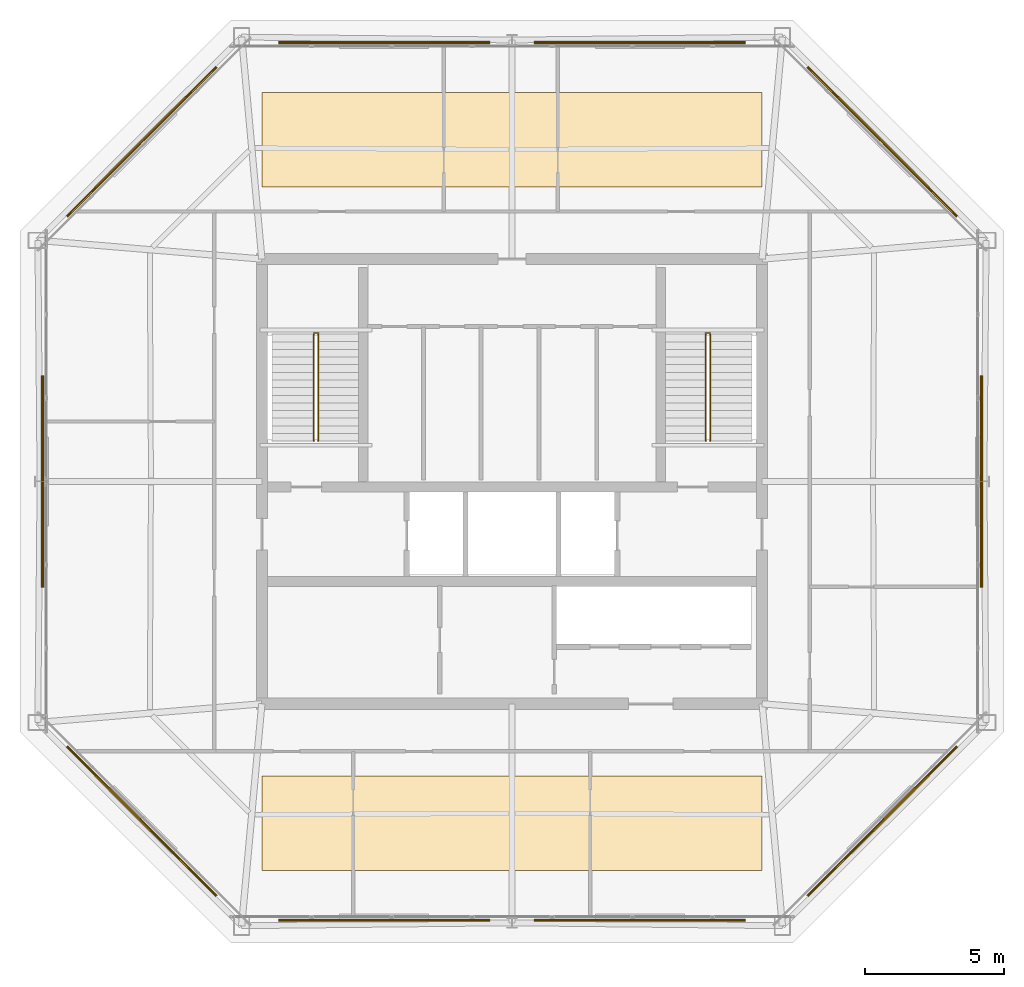
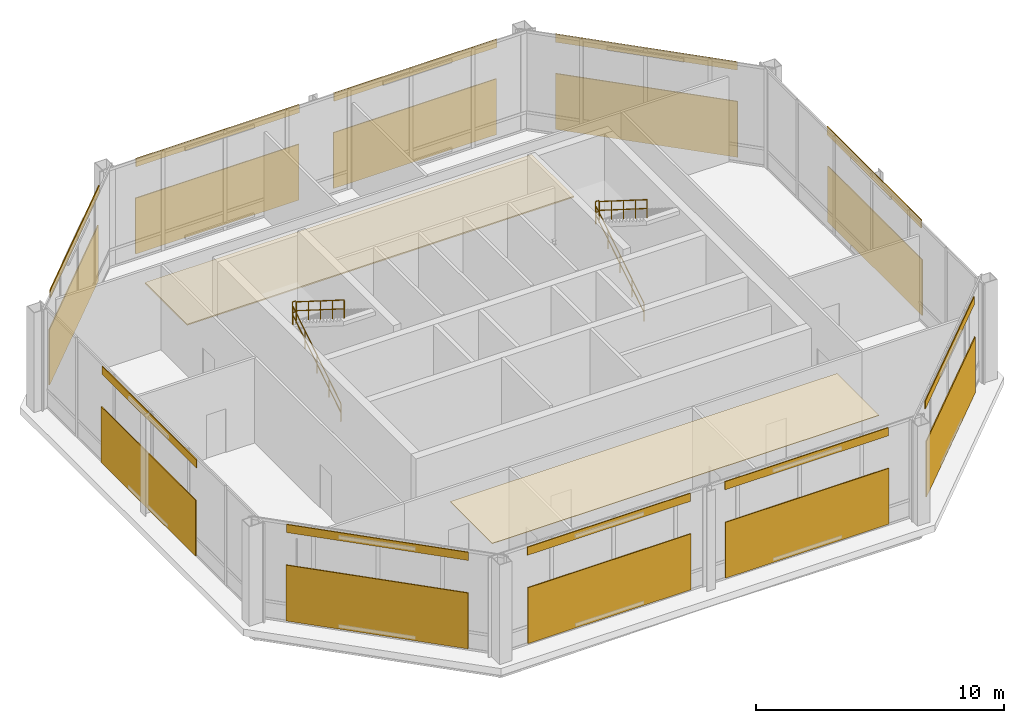
# One storey, part 21 of 21: 12 coverings, 10 shading devices, 6 railings.
"""IFC4 building model written with IfcOpenShell, lengths in metres."""

from ifc_helpers import new_model, si_unit, direction, frame, origin, origin_2d, place, context, subcontext, project, spatial, polyline, rectangle, circle, outline, extrude, material, layer, layer_set, type_object, element, save


model = new_model("IFC4")

# Units and contexts
model_context = context("Model", 3, precision=1e-05, world=origin(), true_north=direction((0.0, 1.0)))
body_context = subcontext(model_context, "Body", "Model", "MODEL_VIEW")
ifc_project = project(units=[si_unit("LENGTHUNIT", "METRE"), si_unit("AREAUNIT", "SQUARE_METRE"), si_unit("VOLUMEUNIT", "CUBIC_METRE"), si_unit("PLANEANGLEUNIT", "RADIAN"), si_unit("MASSUNIT", "GRAM", prefix="KILO")], contexts=[model_context])

# Site, building, storey
site_placement = place(None, origin())
site = spatial("IfcSite", under=ifc_project, at=site_placement, CompositionType="ELEMENT")
building_placement = place(site_placement, origin())
building = spatial("IfcBuilding", under=site, at=building_placement, Name="Caelvoria Tower", CompositionType="ELEMENT")
storey_placement = place(building_placement, frame((0.0, 0.0, 279.0)))
storey = spatial("IfcBuildingStorey", under=building, at=storey_placement, Name="L74", CompositionType="ELEMENT", Elevation=279.0)

# Coverings
ifc_material_1 = material(Name="Acoustic Mineral Fibre Tile", Category="gypsum")
ifc_layer_1 = layer(ifc_material_1, 0.02490234375, Name="Acoustic Mineral Fibre Tile")
ifc_layer_set_1 = layer_set([ifc_layer_1], Name="Mineral-Fibre Acoustic Suspended Ceiling 25 - Acoustic Mineral Fibre Tile")
covering_type_1 = type_object("IfcCoveringType", Name="Mineral-Fibre Acoustic Suspended Ceiling 25", PredefinedType="CEILING", material=ifc_layer_set_1)
covering_1_placement = place(storey_placement, frame((0.0, 0.0, 4.175048828125)))
element("IfcCovering", 1, at=covering_1_placement, inside=storey, type_object=covering_type_1, Name="Suspended Acoustic Ceiling L74", PredefinedType="CEILING", context=body_context, shape_type="SweptSolid", body=[
    extrude(outline(polyline([(37.0, 18.0), (55.0, 18.0), (55.0, 21.39990234375), (37.0, 21.39990234375), (37.0, 18.0)])), origin(), (0.0, 0.0, 1.0), 0.02490234375),
])
ifc_material_2 = material(Name="Perforated Architectural Bronze Cladding Screen", Category="bronze")
ifc_layer_2 = layer(ifc_material_2, 0.0400390625, Name="Perforated Architectural Bronze Cladding Screen")
ifc_layer_set_2 = layer_set([ifc_layer_2], Name="Perforated Bronze Louvre Cladding Band 40 - Perforated Architectural Bronze Cladding Screen")
covering_type_2 = type_object("IfcCoveringType", Name="Perforated Bronze Louvre Cladding Band 40", PredefinedType="CLADDING", material=ifc_layer_set_2)
for number, where, z_axis, x_axis, name in (
    (2, (41.39990234375, 16.238037109375, 4.47998046875), (0.0, 0.0, 1.0), (1.0, 0.0, 0.0), "Perforated Bronze Screen Band L74-E0-00"),
    (3, (50.60009765625, 16.238037109375, 4.47998046875), (0.0, 0.0, 1.0), (1.0, 0.0, 0.0), "Perforated Bronze Screen Band L74-E0-01"),
    (4, (59.307373046875, 19.79248046875, 4.47998046875), (0.0, 0.0, 1.0), (0.707106781187, 0.707106781187, 0.0), "Perforated Bronze Screen Band L74-E1-00"),
    (5, (62.862060546875, 32.0, 4.47998046875), (0.0, 0.0, 1.0), (0.0, 1.0, 0.0), "Perforated Bronze Screen Band L74-E2-00"),
    (6, (59.307373046875, 44.20751953125, 4.47998046875), (0.0, 0.0, 1.0), (-0.707106781187, 0.707106781187, 0.0), "Perforated Bronze Screen Band L74-E3-00"),
    (7, (50.60009765625, 47.761962890625, 4.47998046875), (0.0, 0.0, 1.0), (-1.0, 0.0, 0.0), "Perforated Bronze Screen Band L74-E4-00"),
    (8, (41.39990234375, 47.761962890625, 4.47998046875), (0.0, 0.0, 1.0), (-1.0, 0.0, 0.0), "Perforated Bronze Screen Band L74-E4-01"),
    (9, (32.692626953125, 44.20751953125, 4.47998046875), (0.0, 0.0, 1.0), (-0.707106781187, -0.707106781187, 0.0), "Perforated Bronze Screen Band L74-E5-00"),
    (10, (29.137939453125, 32.0, 4.47998046875), (0.0, 0.0, 1.0), (0.0, -1.0, 0.0), "Perforated Bronze Screen Band L74-E6-00"),
    (11, (32.692626953125, 19.79248046875, 4.47998046875), (0.0, 0.0, 1.0), (0.707106781187, -0.707106781187, 0.0), "Perforated Bronze Screen Band L74-E7-00"),
):
    element("IfcCovering", number, at=place(storey_placement, frame(where, z_axis=z_axis, x_axis=x_axis)), inside=storey, type_object=covering_type_2, Name=name, PredefinedType="CLADDING", context=body_context, shape_type="SweptSolid", body=[
        extrude(rectangle(XDim=7.60009765625, YDim=0.0400390625, at=origin_2d()), origin(), (0.0, 0.0, 1.0), 0.39990234375),
    ])

# Shading devices
ifc_material_3 = material(Name="Perforated Architectural Bronze Alloy Panel", Category="bronze")
ifc_layer_3 = layer(ifc_material_3, 0.044921875, Name="Perforated Architectural Bronze Alloy Panel")
ifc_layer_set_3 = layer_set([ifc_layer_3], Name="Perforated Bronze Solar Screen Panel SCREEN - Perforated Architectural Bronze Alloy Panel")
shading_device_type = type_object("IfcShadingDeviceType", Name="Perforated Bronze Solar Screen Panel SCREEN", PredefinedType="USERDEFINED", material=ifc_layer_set_3)
for number, where, z_axis, x_axis, name in (
    (12, (41.39990234375, 16.195068359375, 0.159912109375), (0.0, 0.0, 1.0), (1.0, 0.0, 0.0), "Perforated Bronze Solar Screen L74-E0-00"),
    (13, (50.60009765625, 16.195068359375, 0.159912109375), (0.0, 0.0, 1.0), (1.0, 0.0, 0.0), "Perforated Bronze Solar Screen L74-E0-01"),
    (14, (59.337890625, 19.76220703125, 0.159912109375), (0.0, 0.0, 1.0), (0.707106781187, 0.707106781187, 0.0), "Perforated Bronze Solar Screen L74-E1-00"),
    (15, (62.905029296875, 32.0, 0.159912109375), (0.0, 0.0, 1.0), (0.0, 1.0, 0.0), "Perforated Bronze Solar Screen L74-E2-00"),
    (16, (59.337890625, 44.23779296875, 0.159912109375), (0.0, 0.0, 1.0), (-0.707106781187, 0.707106781187, 0.0), "Perforated Bronze Solar Screen L74-E3-00"),
    (17, (50.60009765625, 47.804931640625, 0.159912109375), (0.0, 0.0, 1.0), (-1.0, 0.0, 0.0), "Perforated Bronze Solar Screen L74-E4-00"),
    (18, (41.39990234375, 47.804931640625, 0.159912109375), (0.0, 0.0, 1.0), (-1.0, 0.0, 0.0), "Perforated Bronze Solar Screen L74-E4-01"),
    (19, (32.662109375, 44.23779296875, 0.159912109375), (0.0, 0.0, 1.0), (-0.707106781187, -0.707106781187, 0.0), "Perforated Bronze Solar Screen L74-E5-00"),
    (20, (29.094970703125, 32.0, 0.159912109375), (0.0, 0.0, 1.0), (0.0, -1.0, 0.0), "Perforated Bronze Solar Screen L74-E6-00"),
    (21, (32.662109375, 19.76220703125, 0.159912109375), (0.0, 0.0, 1.0), (0.707106781187, -0.707106781187, 0.0), "Perforated Bronze Solar Screen L74-E7-00"),
):
    element("IfcShadingDevice", number, at=place(storey_placement, frame(where, z_axis=z_axis, x_axis=x_axis)), inside=storey, type_object=shading_device_type, Name=name, ObjectType="SCREEN", PredefinedType="USERDEFINED", context=body_context, shape_type="SweptSolid", body=[
        extrude(rectangle(XDim=7.60009765625, YDim=0.044921875, at=origin_2d()), origin(), (0.0, 0.0, 1.0), 2.75),
    ])

# Covering
ifc_material_4 = material(Name="Calcium-Sulphate Raised Floor Tile", Category="gypsum")
ifc_layer_4 = layer(ifc_material_4, 0.06005859375, Name="Calcium-Sulphate Raised Floor Tile")
ifc_layer_set_4 = layer_set([ifc_layer_4], Name="Raised Access Office Floor System 120 - Calcium-Sulphate Raised Floor Tile")
covering_type_3 = type_object("IfcCoveringType", Name="Raised Access Office Floor System 120", PredefinedType="FLOORING", material=ifc_layer_set_4)
covering_2_placement = place(storey_placement, origin())
element("IfcCovering", 22, at=covering_2_placement, inside=storey, type_object=covering_type_3, Name="Raised Access Flooring L74", PredefinedType="FLOORING", context=body_context, shape_type="SweptSolid", body=[
    extrude(outline(polyline([(37.0, 42.60009765625), (55.0, 42.60009765625), (55.0, 46.0), (37.0, 46.0), (37.0, 42.60009765625)])), origin(), (0.0, 0.0, 1.0), 0.06005859375),
])

# Railings
ifc_material_5 = material(Name="Brushed Stainless Steel Tube", Category="steel")
railing_type_1 = type_object("IfcRailingType", Name="Stair Tubular Stainless Handrail 920", PredefinedType="HANDRAIL", material=ifc_material_5)
railing_1_placement = place(storey_placement, frame((38.8701171875, 33.449951171875, 0.17333984375)))
element("IfcRailing", 23, at=railing_1_placement, inside=storey, type_object=railing_type_1, Name="ST-01 Flight 1 Handrail L74", PredefinedType="HANDRAIL", context=body_context, shape_type="SweptSolid", body=[
    extrude(circle(Radius=0.02392578125, at=origin_2d()), frame((0.0, 0.0, 0.89599609375), z_axis=(0.0, 0.845972948605, 0.533225815418), x_axis=(-1.0, 0.0, 0.0)), (0.0, 0.0, 1.0), 4.551025390625),
    extrude(circle(Radius=0.02392578125, at=origin_2d()), frame((0.0, 0.0, 0.4599609375), z_axis=(0.0, 0.845972948605, 0.533225815418), x_axis=(-1.0, 0.0, 0.0)), (0.0, 0.0, 1.0), 4.551025390625),
    extrude(circle(Radius=0.02099609375, at=origin_2d()), origin(), (0.0, 0.0, 1.0), 0.871826171875),
    extrude(circle(Radius=0.02099609375, at=origin_2d()), frame((0.0, 0.96240234375, 0.606689453125)), (0.0, 0.0, 1.0), 0.871826171875),
    extrude(circle(Radius=0.02099609375, at=origin_2d()), frame((0.0, 1.925048828125, 1.21337890625)), (0.0, 0.0, 1.0), 0.871826171875),
    extrude(circle(Radius=0.02099609375, at=origin_2d()), frame((0.0, 2.8876953125, 1.820068359375)), (0.0, 0.0, 1.0), 0.871826171875),
    extrude(circle(Radius=0.02099609375, at=origin_2d()), frame((0.0, 3.85009765625, 2.4267578125)), (0.0, 0.0, 1.0), 0.871826171875),
])
railing_2_placement = place(storey_placement, frame((39.030029296875, 37.300048828125, 2.773193359375)))
element("IfcRailing", 24, at=railing_2_placement, inside=storey, type_object=railing_type_1, Name="ST-01 Flight 2 Handrail L74", PredefinedType="HANDRAIL", context=body_context, shape_type="SweptSolid", body=[
    extrude(circle(Radius=0.02392578125, at=origin_2d()), frame((0.0, 0.0, 0.89599609375), z_axis=(0.0, -0.845972948605, 0.533225815418), x_axis=(1.0, 0.0, 0.0)), (0.0, 0.0, 1.0), 4.551025390625),
    extrude(circle(Radius=0.02392578125, at=origin_2d()), frame((0.0, 0.0, 0.4599609375), z_axis=(0.0, -0.845972948605, 0.533225815418), x_axis=(1.0, 0.0, 0.0)), (0.0, 0.0, 1.0), 4.551025390625),
    extrude(circle(Radius=0.02099609375, at=origin_2d()), origin(), (0.0, 0.0, 1.0), 0.871826171875),
    extrude(circle(Radius=0.02099609375, at=origin_2d()), frame((0.0, -0.96240234375, 0.606689453125)), (0.0, 0.0, 1.0), 0.871826171875),
    extrude(circle(Radius=0.02099609375, at=origin_2d()), frame((0.0, -1.925048828125, 1.21337890625)), (0.0, 0.0, 1.0), 0.871826171875),
    extrude(circle(Radius=0.02099609375, at=origin_2d()), frame((0.0, -2.8876953125, 1.820068359375)), (0.0, 0.0, 1.0), 0.871826171875),
    extrude(circle(Radius=0.02099609375, at=origin_2d()), frame((0.0, -3.85009765625, 2.4267578125)), (0.0, 0.0, 1.0), 0.871826171875),
])
railing_3_placement = place(storey_placement, frame((52.969970703125, 33.449951171875, 0.17333984375)))
element("IfcRailing", 25, at=railing_3_placement, inside=storey, type_object=railing_type_1, Name="ST-02 Flight 1 Handrail L74", PredefinedType="HANDRAIL", context=body_context, shape_type="SweptSolid", body=[
    extrude(circle(Radius=0.02392578125, at=origin_2d()), frame((0.0, 0.0, 0.89599609375), z_axis=(0.0, 0.845972948605, 0.533225815418), x_axis=(-1.0, 0.0, 0.0)), (0.0, 0.0, 1.0), 4.551025390625),
    extrude(circle(Radius=0.02392578125, at=origin_2d()), frame((0.0, 0.0, 0.4599609375), z_axis=(0.0, 0.845972948605, 0.533225815418), x_axis=(-1.0, 0.0, 0.0)), (0.0, 0.0, 1.0), 4.551025390625),
    extrude(circle(Radius=0.02099609375, at=origin_2d()), origin(), (0.0, 0.0, 1.0), 0.871826171875),
    extrude(circle(Radius=0.02099609375, at=origin_2d()), frame((0.0, 0.96240234375, 0.606689453125)), (0.0, 0.0, 1.0), 0.871826171875),
    extrude(circle(Radius=0.02099609375, at=origin_2d()), frame((0.0, 1.925048828125, 1.21337890625)), (0.0, 0.0, 1.0), 0.871826171875),
    extrude(circle(Radius=0.02099609375, at=origin_2d()), frame((0.0, 2.8876953125, 1.820068359375)), (0.0, 0.0, 1.0), 0.871826171875),
    extrude(circle(Radius=0.02099609375, at=origin_2d()), frame((0.0, 3.85009765625, 2.4267578125)), (0.0, 0.0, 1.0), 0.871826171875),
])
railing_4_placement = place(storey_placement, frame((53.1298828125, 37.300048828125, 2.773193359375)))
element("IfcRailing", 26, at=railing_4_placement, inside=storey, type_object=railing_type_1, Name="ST-02 Flight 2 Handrail L74", PredefinedType="HANDRAIL", context=body_context, shape_type="SweptSolid", body=[
    extrude(circle(Radius=0.02392578125, at=origin_2d()), frame((0.0, 0.0, 0.89599609375), z_axis=(0.0, -0.845972948605, 0.533225815418), x_axis=(1.0, 0.0, 0.0)), (0.0, 0.0, 1.0), 4.551025390625),
    extrude(circle(Radius=0.02392578125, at=origin_2d()), frame((0.0, 0.0, 0.4599609375), z_axis=(0.0, -0.845972948605, 0.533225815418), x_axis=(1.0, 0.0, 0.0)), (0.0, 0.0, 1.0), 4.551025390625),
    extrude(circle(Radius=0.02099609375, at=origin_2d()), origin(), (0.0, 0.0, 1.0), 0.871826171875),
    extrude(circle(Radius=0.02099609375, at=origin_2d()), frame((0.0, -0.96240234375, 0.606689453125)), (0.0, 0.0, 1.0), 0.871826171875),
    extrude(circle(Radius=0.02099609375, at=origin_2d()), frame((0.0, -1.925048828125, 1.21337890625)), (0.0, 0.0, 1.0), 0.871826171875),
    extrude(circle(Radius=0.02099609375, at=origin_2d()), frame((0.0, -2.8876953125, 1.820068359375)), (0.0, 0.0, 1.0), 0.871826171875),
    extrude(circle(Radius=0.02099609375, at=origin_2d()), frame((0.0, -3.85009765625, 2.4267578125)), (0.0, 0.0, 1.0), 0.871826171875),
])
ifc_material_6 = material(Name="Brushed Stainless Steel Guardrail", Category="steel")
railing_type_2 = type_object("IfcRailingType", Name="Stair Well and Ramp Guardrail 1120", PredefinedType="GUARDRAIL", material=ifc_material_6)
for number, where, name in (
    (27, (38.8701171875, 37.340087890625, 2.60009765625), "ST-01 Half-Landing Well Guard L74"),
    (28, (52.969970703125, 37.340087890625, 2.60009765625), "ST-02 Half-Landing Well Guard L74"),
):
    element("IfcRailing", number, at=place(storey_placement, frame(where)), inside=storey, type_object=railing_type_2, Name=name, PredefinedType="GUARDRAIL", context=body_context, shape_type="SweptSolid", body=[
        extrude(circle(Radius=0.02392578125, at=origin_2d()), frame((0.0, 0.0, 1.09619140625), z_axis=(1.0, 0.0, 0.0), x_axis=(0.0, 1.0, 0.0)), (0.0, 0.0, 1.0), 0.159912109375),
        extrude(circle(Radius=0.02392578125, at=origin_2d()), frame((0.0, 0.0, 0.56005859375), z_axis=(1.0, 0.0, 0.0), x_axis=(0.0, 1.0, 0.0)), (0.0, 0.0, 1.0), 0.159912109375),
        extrude(circle(Radius=0.02099609375, at=origin_2d()), origin(), (0.0, 0.0, 1.0), 1.072021484375),
        extrude(circle(Radius=0.02099609375, at=origin_2d()), frame((0.159912109375, 0.0, 0.0)), (0.0, 0.0, 1.0), 1.072021484375),
    ])

save(model, "model.ifc")
